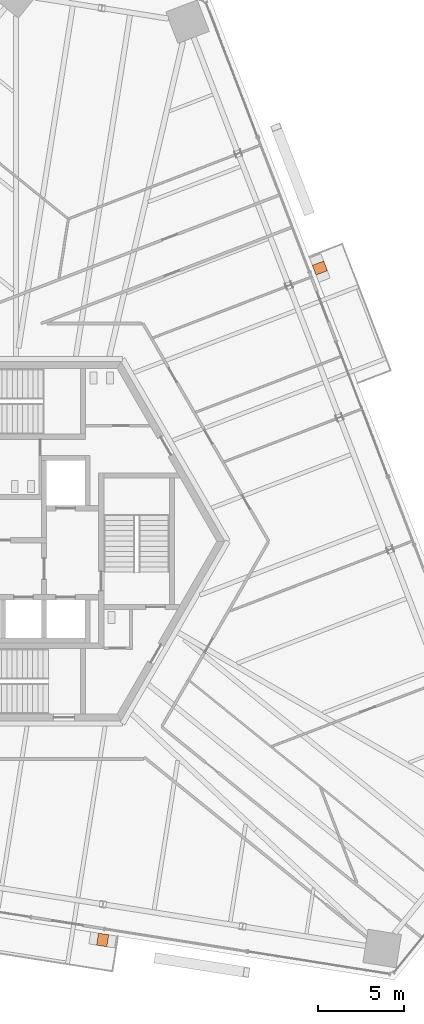
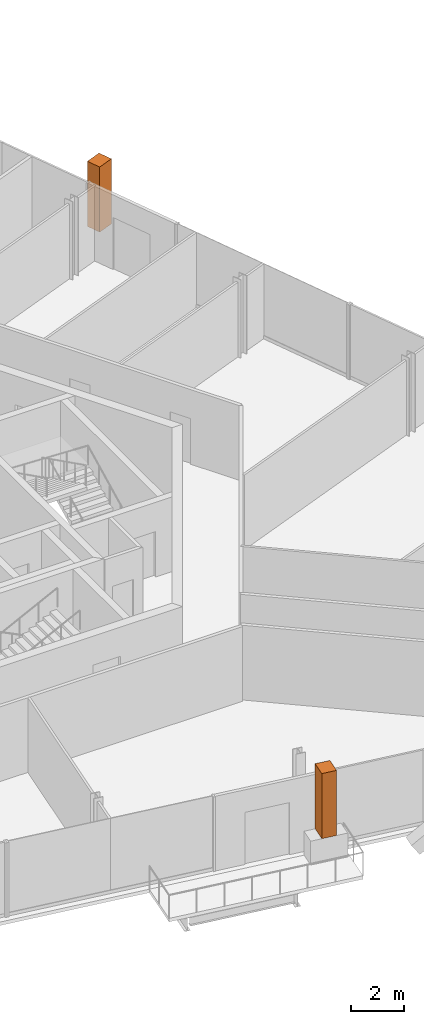
# One storey, part 19 of 19: 2 geographic elements.
"""IFC4 building model written with IfcOpenShell, lengths in metres."""

from ifc_helpers import new_model, si_unit, direction, frame, origin, origin_2d, place, context, subcontext, project, spatial, rectangle, extrude, source, transform, mapped, material, type_object, element, save


model = new_model("IFC4")

# Units and contexts
model_context = context("Model", 3, precision=1e-05, world=origin(), true_north=direction((0.0, 1.0)))
body_context = subcontext(model_context, "Body", "Model", "MODEL_VIEW")
ifc_project = project(units=[si_unit("LENGTHUNIT", "METRE"), si_unit("AREAUNIT", "SQUARE_METRE"), si_unit("VOLUMEUNIT", "CUBIC_METRE"), si_unit("PLANEANGLEUNIT", "RADIAN"), si_unit("MASSUNIT", "GRAM", prefix="KILO")], contexts=[model_context])

# Site, building, storey
site_placement = place(None, origin())
site = spatial("IfcSite", under=ifc_project, at=site_placement, CompositionType="ELEMENT")
building_placement = place(site_placement, origin())
building = spatial("IfcBuilding", under=site, at=building_placement, Name="Triune Harvest Tower", CompositionType="ELEMENT")
storey_placement = place(building_placement, frame((0.0, 0.0, 164.10009765625)))
storey = spatial("IfcBuildingStorey", under=building, at=storey_placement, Name="L42", CompositionType="ELEMENT", Elevation=164.10009765625)

# Geographic elements
ifc_material = material(Name="TREE-1 tree")
geographic_element_type = type_object("IfcGeographicElementType", Name="TREE-1 tree", PredefinedType="USERDEFINED", material=ifc_material)
shared_shape = source(origin(), body_context, "Body", "SweptSolid", [
    extrude(rectangle(XDim=0.60009765625, YDim=0.699951171875, at=origin_2d()), origin(), (0.0, 0.0, 1.0), 3.0),
])
for number, where, z_axis, x_axis, name in (
    (1, (17.499755859375, 15.802734375, 1.099853515625), (0.0, 0.0, 1.0), (-0.35836927228, 0.933579918746, 0.0), "Tree B4-F1 L42.8b"),
    (2, (4.935546875, -23.056640625, 1.099853515625), (0.0, 0.0, 1.0), (0.987688259912, -0.156434974453, 0.0), "Tree B4-F5 L42.8b"),
):
    element("IfcGeographicElement", number, at=place(storey_placement, frame(where, z_axis=z_axis, x_axis=x_axis)), inside=storey, type_object=geographic_element_type, Name=name, ObjectType="TREE", PredefinedType="USERDEFINED", context=body_context, shape_type="MappedRepresentation", body=[
        mapped(shared_shape, transform((0.0, 0.0, 0.0), scale=1.0)),
    ])

save(model, "model.ifc")
